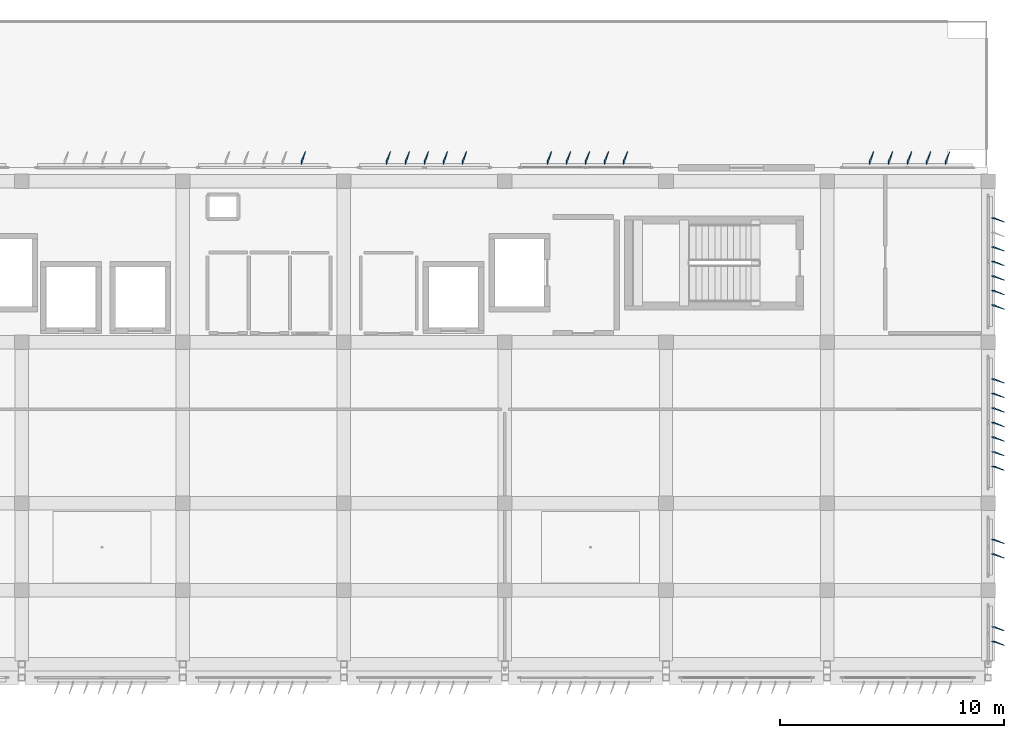
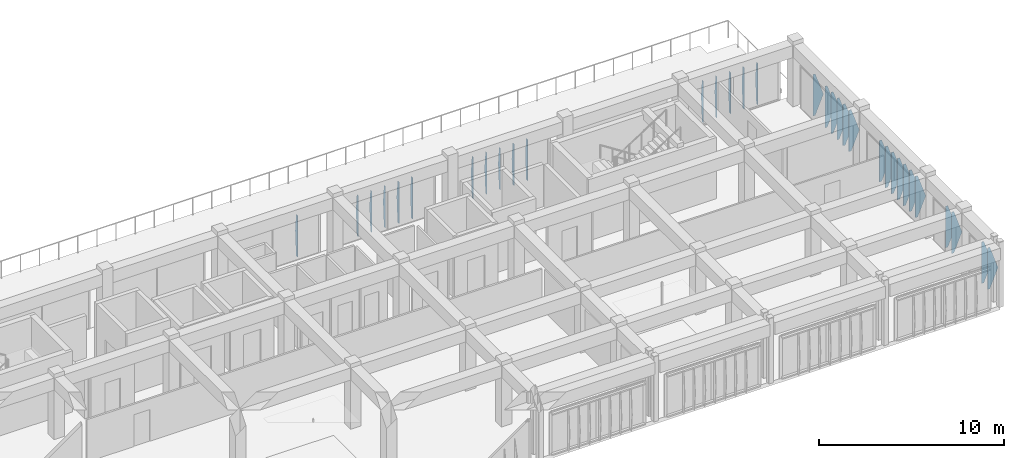
# One storey, part 39 of 42: 33 plates.
"""IFC4 building model written with IfcOpenShell, lengths in metres."""

from ifc_helpers import new_model, si_unit, direction, frame, origin, place, context, subcontext, project, spatial, polygons, material, layer, layer_set, type_object, element, save


model = new_model("IFC4")

# Units and contexts
model_context = context("Model", 3, precision=1e-05, world=origin(), true_north=direction((0.0, 1.0)))
body_context = subcontext(model_context, "Body", "Model", "MODEL_VIEW")
ifc_project = project(units=[si_unit("LENGTHUNIT", "METRE"), si_unit("AREAUNIT", "SQUARE_METRE"), si_unit("VOLUMEUNIT", "CUBIC_METRE"), si_unit("PLANEANGLEUNIT", "RADIAN"), si_unit("MASSUNIT", "GRAM", prefix="KILO")], contexts=[model_context])

# Site, building, storey
site_placement = place(None, origin())
site = spatial("IfcSite", under=ifc_project, at=site_placement, CompositionType="ELEMENT")
building_placement = place(site_placement, origin())
building = spatial("IfcBuilding", under=site, at=building_placement, Name="Kazehaya Institute of Natural Sciences", CompositionType="ELEMENT")
storey_placement = place(building_placement, frame((0.0, 0.0, 37.6201171875)))
storey = spatial("IfcBuildingStorey", under=building, at=storey_placement, Name="L08", CompositionType="ELEMENT", Elevation=37.6201171875)

# Plates
ifc_material = material(Name="Bronze-anodised aluminium alloy A6063S-T5", Category="aluminium")
ifc_layer_1 = layer(ifc_material, 0.02001953125, Name="Bronze-anodised aluminium alloy A6063S-T5", Category="aluminium")
ifc_layer_set_1 = layer_set([ifc_layer_1], Name="Bronze-anodised aluminium alloy A6063S-T5")
plate_type_1 = type_object("IfcPlateType", Name="FIN-DF-E1", PredefinedType="USERDEFINED", material=ifc_layer_set_1)
plate_1_placement = place(storey_placement, origin())
element("IfcPlate", 1, at=plate_1_placement, inside=storey, type_object=plate_type_1, Name="L08 folded diamond-pyramid shading fin FIN-L08-E-0807", ObjectType="SHADING_FIN", PredefinedType="USERDEFINED", context=body_context, shape_type="Tessellation", body=[
    polygons([(119.554931640625, 8.485107421875, 0.039794921875), (119.699951171875, 8.485107421875, 0.039794921875), (120.110107421875, 8.306396484375, 1.409912109375), (119.699951171875, 8.485107421875, 2.77978515625), (119.554931640625, 8.485107421875, 2.77978515625), (119.554931640625, 8.465087890625, 0.039794921875), (119.699951171875, 8.465087890625, 0.039794921875), (120.110107421875, 8.286376953125, 1.409912109375), (119.699951171875, 8.465087890625, 2.77978515625), (119.554931640625, 8.465087890625, 2.77978515625)], [[[1, 5, 4, 3, 2]], [[6, 7, 8, 9, 10]], [[1, 2, 7, 6]], [[2, 3, 8, 7]], [[3, 4, 9, 8]], [[4, 5, 10, 9]], [[5, 1, 6, 10]]], closed=True),
])
plate_2_placement = place(storey_placement, origin())
element("IfcPlate", 2, at=plate_2_placement, inside=storey, type_object=plate_type_1, Name="L08 folded diamond-pyramid shading fin FIN-L08-E-0808", ObjectType="SHADING_FIN", PredefinedType="USERDEFINED", context=body_context, shape_type="Tessellation", body=[
    polygons([(119.554931640625, 7.8349609375, 0.039794921875), (119.699951171875, 7.8349609375, 0.039794921875), (120.110107421875, 7.65625, 1.409912109375), (119.699951171875, 7.8349609375, 2.77978515625), (119.554931640625, 7.8349609375, 2.77978515625), (119.554931640625, 7.81494140625, 0.039794921875), (119.699951171875, 7.81494140625, 0.039794921875), (120.110107421875, 7.63623046875, 1.409912109375), (119.699951171875, 7.81494140625, 2.77978515625), (119.554931640625, 7.81494140625, 2.77978515625)], [[[1, 5, 4, 3, 2]], [[6, 7, 8, 9, 10]], [[1, 2, 7, 6]], [[2, 3, 8, 7]], [[3, 4, 9, 8]], [[4, 5, 10, 9]], [[5, 1, 6, 10]]], closed=True),
])
plate_3_placement = place(storey_placement, origin())
element("IfcPlate", 3, at=plate_3_placement, inside=storey, type_object=plate_type_1, Name="L08 folded diamond-pyramid shading fin FIN-L08-E-0811", ObjectType="SHADING_FIN", PredefinedType="USERDEFINED", context=body_context, shape_type="Tessellation", body=[
    polygons([(119.554931640625, 12.385009765625, 0.039794921875), (119.699951171875, 12.385009765625, 0.039794921875), (120.110107421875, 12.206298828125, 1.409912109375), (119.699951171875, 12.385009765625, 2.77978515625), (119.554931640625, 12.385009765625, 2.77978515625), (119.554931640625, 12.364990234375, 0.039794921875), (119.699951171875, 12.364990234375, 0.039794921875), (120.110107421875, 12.186279296875, 1.409912109375), (119.699951171875, 12.364990234375, 2.77978515625), (119.554931640625, 12.364990234375, 2.77978515625)], [[[1, 5, 4, 3, 2]], [[6, 7, 8, 9, 10]], [[1, 2, 7, 6]], [[2, 3, 8, 7]], [[3, 4, 9, 8]], [[4, 5, 10, 9]], [[5, 1, 6, 10]]], closed=True),
])
plate_4_placement = place(storey_placement, origin())
element("IfcPlate", 4, at=plate_4_placement, inside=storey, type_object=plate_type_1, Name="L08 folded diamond-pyramid shading fin FIN-L08-E-0812", ObjectType="SHADING_FIN", PredefinedType="USERDEFINED", context=body_context, shape_type="Tessellation", body=[
    polygons([(119.554931640625, 11.735107421875, 0.039794921875), (119.699951171875, 11.735107421875, 0.039794921875), (120.110107421875, 11.556396484375, 1.409912109375), (119.699951171875, 11.735107421875, 2.77978515625), (119.554931640625, 11.735107421875, 2.77978515625), (119.554931640625, 11.715087890625, 0.039794921875), (119.699951171875, 11.715087890625, 0.039794921875), (120.110107421875, 11.536376953125, 1.409912109375), (119.699951171875, 11.715087890625, 2.77978515625), (119.554931640625, 11.715087890625, 2.77978515625)], [[[1, 5, 4, 3, 2]], [[6, 7, 8, 9, 10]], [[1, 2, 7, 6]], [[2, 3, 8, 7]], [[3, 4, 9, 8]], [[4, 5, 10, 9]], [[5, 1, 6, 10]]], closed=True),
])
plate_5_placement = place(storey_placement, origin())
element("IfcPlate", 5, at=plate_5_placement, inside=storey, type_object=plate_type_1, Name="L08 folded diamond-pyramid shading fin FIN-L08-E-0820", ObjectType="SHADING_FIN", PredefinedType="USERDEFINED", context=body_context, shape_type="Tessellation", body=[
    polygons([(119.554931640625, 19.56005859375, 0.039794921875), (119.699951171875, 19.56005859375, 0.039794921875), (120.110107421875, 19.38134765625, 1.409912109375), (119.699951171875, 19.56005859375, 2.77978515625), (119.554931640625, 19.56005859375, 2.77978515625), (119.554931640625, 19.5400390625, 0.039794921875), (119.699951171875, 19.5400390625, 0.039794921875), (120.110107421875, 19.361328125, 1.409912109375), (119.699951171875, 19.5400390625, 2.77978515625), (119.554931640625, 19.5400390625, 2.77978515625)], [[[1, 5, 4, 3, 2]], [[6, 7, 8, 9, 10]], [[1, 2, 7, 6]], [[2, 3, 8, 7]], [[3, 4, 9, 8]], [[4, 5, 10, 9]], [[5, 1, 6, 10]]], closed=True),
])
plate_6_placement = place(storey_placement, origin())
element("IfcPlate", 6, at=plate_6_placement, inside=storey, type_object=plate_type_1, Name="L08 folded diamond-pyramid shading fin FIN-L08-E-0821", ObjectType="SHADING_FIN", PredefinedType="USERDEFINED", context=body_context, shape_type="Tessellation", body=[
    polygons([(119.554931640625, 18.909912109375, 0.039794921875), (119.699951171875, 18.909912109375, 0.039794921875), (120.110107421875, 18.731201171875, 1.409912109375), (119.699951171875, 18.909912109375, 2.77978515625), (119.554931640625, 18.909912109375, 2.77978515625), (119.554931640625, 18.889892578125, 0.039794921875), (119.699951171875, 18.889892578125, 0.039794921875), (120.110107421875, 18.711181640625, 1.409912109375), (119.699951171875, 18.889892578125, 2.77978515625), (119.554931640625, 18.889892578125, 2.77978515625)], [[[1, 5, 4, 3, 2]], [[6, 7, 8, 9, 10]], [[1, 2, 7, 6]], [[2, 3, 8, 7]], [[3, 4, 9, 8]], [[4, 5, 10, 9]], [[5, 1, 6, 10]]], closed=True),
])
plate_7_placement = place(storey_placement, origin())
element("IfcPlate", 7, at=plate_7_placement, inside=storey, type_object=plate_type_1, Name="L08 folded diamond-pyramid shading fin FIN-L08-E-0822", ObjectType="SHADING_FIN", PredefinedType="USERDEFINED", context=body_context, shape_type="Tessellation", body=[
    polygons([(119.554931640625, 18.260009765625, 0.039794921875), (119.699951171875, 18.260009765625, 0.039794921875), (120.110107421875, 18.081298828125, 1.409912109375), (119.699951171875, 18.260009765625, 2.77978515625), (119.554931640625, 18.260009765625, 2.77978515625), (119.554931640625, 18.239990234375, 0.039794921875), (119.699951171875, 18.239990234375, 0.039794921875), (120.110107421875, 18.061279296875, 1.409912109375), (119.699951171875, 18.239990234375, 2.77978515625), (119.554931640625, 18.239990234375, 2.77978515625)], [[[1, 5, 4, 3, 2]], [[6, 7, 8, 9, 10]], [[1, 2, 7, 6]], [[2, 3, 8, 7]], [[3, 4, 9, 8]], [[4, 5, 10, 9]], [[5, 1, 6, 10]]], closed=True),
])
plate_8_placement = place(storey_placement, origin())
element("IfcPlate", 8, at=plate_8_placement, inside=storey, type_object=plate_type_1, Name="L08 folded diamond-pyramid shading fin FIN-L08-E-0823", ObjectType="SHADING_FIN", PredefinedType="USERDEFINED", context=body_context, shape_type="Tessellation", body=[
    polygons([(119.554931640625, 17.610107421875, 0.039794921875), (119.699951171875, 17.610107421875, 0.039794921875), (120.110107421875, 17.431396484375, 1.409912109375), (119.699951171875, 17.610107421875, 2.77978515625), (119.554931640625, 17.610107421875, 2.77978515625), (119.554931640625, 17.590087890625, 0.039794921875), (119.699951171875, 17.590087890625, 0.039794921875), (120.110107421875, 17.411376953125, 1.409912109375), (119.699951171875, 17.590087890625, 2.77978515625), (119.554931640625, 17.590087890625, 2.77978515625)], [[[1, 5, 4, 3, 2]], [[6, 7, 8, 9, 10]], [[1, 2, 7, 6]], [[2, 3, 8, 7]], [[3, 4, 9, 8]], [[4, 5, 10, 9]], [[5, 1, 6, 10]]], closed=True),
])
plate_9_placement = place(storey_placement, origin())
element("IfcPlate", 9, at=plate_9_placement, inside=storey, type_object=plate_type_1, Name="L08 folded diamond-pyramid shading fin FIN-L08-E-0824", ObjectType="SHADING_FIN", PredefinedType="USERDEFINED", context=body_context, shape_type="Tessellation", body=[
    polygons([(119.554931640625, 16.9599609375, 0.039794921875), (119.699951171875, 16.9599609375, 0.039794921875), (120.110107421875, 16.78125, 1.409912109375), (119.699951171875, 16.9599609375, 2.77978515625), (119.554931640625, 16.9599609375, 2.77978515625), (119.554931640625, 16.93994140625, 0.039794921875), (119.699951171875, 16.93994140625, 0.039794921875), (120.110107421875, 16.76123046875, 1.409912109375), (119.699951171875, 16.93994140625, 2.77978515625), (119.554931640625, 16.93994140625, 2.77978515625)], [[[1, 5, 4, 3, 2]], [[6, 7, 8, 9, 10]], [[1, 2, 7, 6]], [[2, 3, 8, 7]], [[3, 4, 9, 8]], [[4, 5, 10, 9]], [[5, 1, 6, 10]]], closed=True),
])
plate_10_placement = place(storey_placement, origin())
element("IfcPlate", 10, at=plate_10_placement, inside=storey, type_object=plate_type_1, Name="L08 folded diamond-pyramid shading fin FIN-L08-E-0825", ObjectType="SHADING_FIN", PredefinedType="USERDEFINED", context=body_context, shape_type="Tessellation", body=[
    polygons([(119.554931640625, 16.31005859375, 0.039794921875), (119.699951171875, 16.31005859375, 0.039794921875), (120.110107421875, 16.13134765625, 1.409912109375), (119.699951171875, 16.31005859375, 2.77978515625), (119.554931640625, 16.31005859375, 2.77978515625), (119.554931640625, 16.2900390625, 0.039794921875), (119.699951171875, 16.2900390625, 0.039794921875), (120.110107421875, 16.111328125, 1.409912109375), (119.699951171875, 16.2900390625, 2.77978515625), (119.554931640625, 16.2900390625, 2.77978515625)], [[[1, 5, 4, 3, 2]], [[6, 7, 8, 9, 10]], [[1, 2, 7, 6]], [[2, 3, 8, 7]], [[3, 4, 9, 8]], [[4, 5, 10, 9]], [[5, 1, 6, 10]]], closed=True),
])
plate_11_placement = place(storey_placement, origin())
element("IfcPlate", 11, at=plate_11_placement, inside=storey, type_object=plate_type_1, Name="L08 folded diamond-pyramid shading fin FIN-L08-E-0826", ObjectType="SHADING_FIN", PredefinedType="USERDEFINED", context=body_context, shape_type="Tessellation", body=[
    polygons([(119.554931640625, 15.659912109375, 0.039794921875), (119.699951171875, 15.659912109375, 0.039794921875), (120.110107421875, 15.481201171875, 1.409912109375), (119.699951171875, 15.659912109375, 2.77978515625), (119.554931640625, 15.659912109375, 2.77978515625), (119.554931640625, 15.639892578125, 0.039794921875), (119.699951171875, 15.639892578125, 0.039794921875), (120.110107421875, 15.461181640625, 1.409912109375), (119.699951171875, 15.639892578125, 2.77978515625), (119.554931640625, 15.639892578125, 2.77978515625)], [[[1, 5, 4, 3, 2]], [[6, 7, 8, 9, 10]], [[1, 2, 7, 6]], [[2, 3, 8, 7]], [[3, 4, 9, 8]], [[4, 5, 10, 9]], [[5, 1, 6, 10]]], closed=True),
])
plate_12_placement = place(storey_placement, origin())
element("IfcPlate", 12, at=plate_12_placement, inside=storey, type_object=plate_type_1, Name="L08 folded diamond-pyramid shading fin FIN-L08-E-0834", ObjectType="SHADING_FIN", PredefinedType="USERDEFINED", context=body_context, shape_type="Tessellation", body=[
    polygons([(119.554931640625, 26.760009765625, 0.039794921875), (119.699951171875, 26.760009765625, 0.039794921875), (120.110107421875, 26.581298828125, 1.409912109375), (119.699951171875, 26.760009765625, 2.77978515625), (119.554931640625, 26.760009765625, 2.77978515625), (119.554931640625, 26.739990234375, 0.039794921875), (119.699951171875, 26.739990234375, 0.039794921875), (120.110107421875, 26.561279296875, 1.409912109375), (119.699951171875, 26.739990234375, 2.77978515625), (119.554931640625, 26.739990234375, 2.77978515625)], [[[1, 5, 4, 3, 2]], [[6, 7, 8, 9, 10]], [[1, 2, 7, 6]], [[2, 3, 8, 7]], [[3, 4, 9, 8]], [[4, 5, 10, 9]], [[5, 1, 6, 10]]], closed=True),
])
plate_13_placement = place(storey_placement, origin())
element("IfcPlate", 13, at=plate_13_placement, inside=storey, type_object=plate_type_1, Name="L08 folded diamond-pyramid shading fin FIN-L08-E-0836", ObjectType="SHADING_FIN", PredefinedType="USERDEFINED", context=body_context, shape_type="Tessellation", body=[
    polygons([(119.554931640625, 25.4599609375, 0.039794921875), (119.699951171875, 25.4599609375, 0.039794921875), (120.110107421875, 25.28125, 1.409912109375), (119.699951171875, 25.4599609375, 2.77978515625), (119.554931640625, 25.4599609375, 2.77978515625), (119.554931640625, 25.43994140625, 0.039794921875), (119.699951171875, 25.43994140625, 0.039794921875), (120.110107421875, 25.26123046875, 1.409912109375), (119.699951171875, 25.43994140625, 2.77978515625), (119.554931640625, 25.43994140625, 2.77978515625)], [[[1, 5, 4, 3, 2]], [[6, 7, 8, 9, 10]], [[1, 2, 7, 6]], [[2, 3, 8, 7]], [[3, 4, 9, 8]], [[4, 5, 10, 9]], [[5, 1, 6, 10]]], closed=True),
])
plate_14_placement = place(storey_placement, origin())
element("IfcPlate", 14, at=plate_14_placement, inside=storey, type_object=plate_type_1, Name="L08 folded diamond-pyramid shading fin FIN-L08-E-0837", ObjectType="SHADING_FIN", PredefinedType="USERDEFINED", context=body_context, shape_type="Tessellation", body=[
    polygons([(119.554931640625, 24.81005859375, 0.039794921875), (119.699951171875, 24.81005859375, 0.039794921875), (120.110107421875, 24.63134765625, 1.409912109375), (119.699951171875, 24.81005859375, 2.77978515625), (119.554931640625, 24.81005859375, 2.77978515625), (119.554931640625, 24.7900390625, 0.039794921875), (119.699951171875, 24.7900390625, 0.039794921875), (120.110107421875, 24.611328125, 1.409912109375), (119.699951171875, 24.7900390625, 2.77978515625), (119.554931640625, 24.7900390625, 2.77978515625)], [[[1, 5, 4, 3, 2]], [[6, 7, 8, 9, 10]], [[1, 2, 7, 6]], [[2, 3, 8, 7]], [[3, 4, 9, 8]], [[4, 5, 10, 9]], [[5, 1, 6, 10]]], closed=True),
])
plate_15_placement = place(storey_placement, origin())
element("IfcPlate", 15, at=plate_15_placement, inside=storey, type_object=plate_type_1, Name="L08 folded diamond-pyramid shading fin FIN-L08-E-0838", ObjectType="SHADING_FIN", PredefinedType="USERDEFINED", context=body_context, shape_type="Tessellation", body=[
    polygons([(119.554931640625, 24.159912109375, 0.039794921875), (119.699951171875, 24.159912109375, 0.039794921875), (120.110107421875, 23.981201171875, 1.409912109375), (119.699951171875, 24.159912109375, 2.77978515625), (119.554931640625, 24.159912109375, 2.77978515625), (119.554931640625, 24.139892578125, 0.039794921875), (119.699951171875, 24.139892578125, 0.039794921875), (120.110107421875, 23.961181640625, 1.409912109375), (119.699951171875, 24.139892578125, 2.77978515625), (119.554931640625, 24.139892578125, 2.77978515625)], [[[1, 5, 4, 3, 2]], [[6, 7, 8, 9, 10]], [[1, 2, 7, 6]], [[2, 3, 8, 7]], [[3, 4, 9, 8]], [[4, 5, 10, 9]], [[5, 1, 6, 10]]], closed=True),
])
plate_16_placement = place(storey_placement, origin())
element("IfcPlate", 16, at=plate_16_placement, inside=storey, type_object=plate_type_1, Name="L08 folded diamond-pyramid shading fin FIN-L08-E-0839", ObjectType="SHADING_FIN", PredefinedType="USERDEFINED", context=body_context, shape_type="Tessellation", body=[
    polygons([(119.554931640625, 23.510009765625, 0.039794921875), (119.699951171875, 23.510009765625, 0.039794921875), (120.110107421875, 23.331298828125, 1.409912109375), (119.699951171875, 23.510009765625, 2.77978515625), (119.554931640625, 23.510009765625, 2.77978515625), (119.554931640625, 23.489990234375, 0.039794921875), (119.699951171875, 23.489990234375, 0.039794921875), (120.110107421875, 23.311279296875, 1.409912109375), (119.699951171875, 23.489990234375, 2.77978515625), (119.554931640625, 23.489990234375, 2.77978515625)], [[[1, 5, 4, 3, 2]], [[6, 7, 8, 9, 10]], [[1, 2, 7, 6]], [[2, 3, 8, 7]], [[3, 4, 9, 8]], [[4, 5, 10, 9]], [[5, 1, 6, 10]]], closed=True),
])
plate_17_placement = place(storey_placement, origin())
element("IfcPlate", 17, at=plate_17_placement, inside=storey, type_object=plate_type_1, Name="L08 folded diamond-pyramid shading fin FIN-L08-E-0840", ObjectType="SHADING_FIN", PredefinedType="USERDEFINED", context=body_context, shape_type="Tessellation", body=[
    polygons([(119.554931640625, 22.860107421875, 0.039794921875), (119.699951171875, 22.860107421875, 0.039794921875), (120.110107421875, 22.681396484375, 1.409912109375), (119.699951171875, 22.860107421875, 2.77978515625), (119.554931640625, 22.860107421875, 2.77978515625), (119.554931640625, 22.840087890625, 0.039794921875), (119.699951171875, 22.840087890625, 0.039794921875), (120.110107421875, 22.661376953125, 1.409912109375), (119.699951171875, 22.840087890625, 2.77978515625), (119.554931640625, 22.840087890625, 2.77978515625)], [[[1, 5, 4, 3, 2]], [[6, 7, 8, 9, 10]], [[1, 2, 7, 6]], [[2, 3, 8, 7]], [[3, 4, 9, 8]], [[4, 5, 10, 9]], [[5, 1, 6, 10]]], closed=True),
])
ifc_layer_2 = layer(ifc_material, 0.02001953125, Name="Bronze-anodised aluminium alloy A6063S-T5", Category="aluminium")
ifc_layer_set_2 = layer_set([ifc_layer_2], Name="Bronze-anodised aluminium alloy A6063S-T5")
plate_type_2 = type_object("IfcPlateType", Name="FIN-DF-N1", PredefinedType="USERDEFINED", material=ifc_layer_set_2)
plate_18_placement = place(storey_placement, origin())
element("IfcPlate", 18, at=plate_18_placement, inside=storey, type_object=plate_type_2, Name="L08 folded diamond-pyramid shading fin FIN-L08-N-0789", ObjectType="SHADING_FIN", PredefinedType="USERDEFINED", context=body_context, shape_type="Tessellation", body=[
    polygons([(88.68994140625, 29.155029296875, 0.039794921875), (88.68994140625, 29.300048828125, 0.039794921875), (88.86865234375, 29.7099609375, 1.409912109375), (88.68994140625, 29.300048828125, 2.77978515625), (88.68994140625, 29.155029296875, 2.77978515625), (88.7099609375, 29.155029296875, 0.039794921875), (88.7099609375, 29.300048828125, 0.039794921875), (88.888671875, 29.7099609375, 1.409912109375), (88.7099609375, 29.300048828125, 2.77978515625), (88.7099609375, 29.155029296875, 2.77978515625)], [[[1, 5, 4, 3, 2]], [[6, 7, 8, 9, 10]], [[1, 2, 7, 6]], [[2, 3, 8, 7]], [[3, 4, 9, 8]], [[4, 5, 10, 9]], [[5, 1, 6, 10]]], closed=True),
])
plate_19_placement = place(storey_placement, origin())
element("IfcPlate", 19, at=plate_19_placement, inside=storey, type_object=plate_type_2, Name="L08 folded diamond-pyramid shading fin FIN-L08-N-0790", ObjectType="SHADING_FIN", PredefinedType="USERDEFINED", context=body_context, shape_type="Tessellation", body=[
    polygons([(92.489990234375, 29.155029296875, 0.039794921875), (92.489990234375, 29.300048828125, 0.039794921875), (92.668701171875, 29.7099609375, 1.409912109375), (92.489990234375, 29.300048828125, 2.77978515625), (92.489990234375, 29.155029296875, 2.77978515625), (92.510009765625, 29.155029296875, 0.039794921875), (92.510009765625, 29.300048828125, 0.039794921875), (92.688720703125, 29.7099609375, 1.409912109375), (92.510009765625, 29.300048828125, 2.77978515625), (92.510009765625, 29.155029296875, 2.77978515625)], [[[1, 5, 4, 3, 2]], [[6, 7, 8, 9, 10]], [[1, 2, 7, 6]], [[2, 3, 8, 7]], [[3, 4, 9, 8]], [[4, 5, 10, 9]], [[5, 1, 6, 10]]], closed=True),
])
plate_20_placement = place(storey_placement, origin())
element("IfcPlate", 20, at=plate_20_placement, inside=storey, type_object=plate_type_2, Name="L08 folded diamond-pyramid shading fin FIN-L08-N-0791", ObjectType="SHADING_FIN", PredefinedType="USERDEFINED", context=body_context, shape_type="Tessellation", body=[
    polygons([(93.340087890625, 29.155029296875, 0.039794921875), (93.340087890625, 29.300048828125, 0.039794921875), (93.518798828125, 29.7099609375, 1.409912109375), (93.340087890625, 29.300048828125, 2.77978515625), (93.340087890625, 29.155029296875, 2.77978515625), (93.360107421875, 29.155029296875, 0.039794921875), (93.360107421875, 29.300048828125, 0.039794921875), (93.538818359375, 29.7099609375, 1.409912109375), (93.360107421875, 29.300048828125, 2.77978515625), (93.360107421875, 29.155029296875, 2.77978515625)], [[[1, 5, 4, 3, 2]], [[6, 7, 8, 9, 10]], [[1, 2, 7, 6]], [[2, 3, 8, 7]], [[3, 4, 9, 8]], [[4, 5, 10, 9]], [[5, 1, 6, 10]]], closed=True),
])
plate_21_placement = place(storey_placement, origin())
element("IfcPlate", 21, at=plate_21_placement, inside=storey, type_object=plate_type_2, Name="L08 folded diamond-pyramid shading fin FIN-L08-N-0792", ObjectType="SHADING_FIN", PredefinedType="USERDEFINED", context=body_context, shape_type="Tessellation", body=[
    polygons([(94.18994140625, 29.155029296875, 0.039794921875), (94.18994140625, 29.300048828125, 0.039794921875), (94.36865234375, 29.7099609375, 1.409912109375), (94.18994140625, 29.300048828125, 2.77978515625), (94.18994140625, 29.155029296875, 2.77978515625), (94.2099609375, 29.155029296875, 0.039794921875), (94.2099609375, 29.300048828125, 0.039794921875), (94.388671875, 29.7099609375, 1.409912109375), (94.2099609375, 29.300048828125, 2.77978515625), (94.2099609375, 29.155029296875, 2.77978515625)], [[[1, 5, 4, 3, 2]], [[6, 7, 8, 9, 10]], [[1, 2, 7, 6]], [[2, 3, 8, 7]], [[3, 4, 9, 8]], [[4, 5, 10, 9]], [[5, 1, 6, 10]]], closed=True),
])
plate_22_placement = place(storey_placement, origin())
element("IfcPlate", 22, at=plate_22_placement, inside=storey, type_object=plate_type_2, Name="L08 folded diamond-pyramid shading fin FIN-L08-N-0793", ObjectType="SHADING_FIN", PredefinedType="USERDEFINED", context=body_context, shape_type="Tessellation", body=[
    polygons([(95.0400390625, 29.155029296875, 0.039794921875), (95.0400390625, 29.300048828125, 0.039794921875), (95.21875, 29.7099609375, 1.409912109375), (95.0400390625, 29.300048828125, 2.77978515625), (95.0400390625, 29.155029296875, 2.77978515625), (95.06005859375, 29.155029296875, 0.039794921875), (95.06005859375, 29.300048828125, 0.039794921875), (95.23876953125, 29.7099609375, 1.409912109375), (95.06005859375, 29.300048828125, 2.77978515625), (95.06005859375, 29.155029296875, 2.77978515625)], [[[1, 5, 4, 3, 2]], [[6, 7, 8, 9, 10]], [[1, 2, 7, 6]], [[2, 3, 8, 7]], [[3, 4, 9, 8]], [[4, 5, 10, 9]], [[5, 1, 6, 10]]], closed=True),
])
plate_23_placement = place(storey_placement, origin())
element("IfcPlate", 23, at=plate_23_placement, inside=storey, type_object=plate_type_2, Name="L08 folded diamond-pyramid shading fin FIN-L08-N-0794", ObjectType="SHADING_FIN", PredefinedType="USERDEFINED", context=body_context, shape_type="Tessellation", body=[
    polygons([(95.889892578125, 29.155029296875, 0.039794921875), (95.889892578125, 29.300048828125, 0.039794921875), (96.068603515625, 29.7099609375, 1.409912109375), (95.889892578125, 29.300048828125, 2.77978515625), (95.889892578125, 29.155029296875, 2.77978515625), (95.909912109375, 29.155029296875, 0.039794921875), (95.909912109375, 29.300048828125, 0.039794921875), (96.088623046875, 29.7099609375, 1.409912109375), (95.909912109375, 29.300048828125, 2.77978515625), (95.909912109375, 29.155029296875, 2.77978515625)], [[[1, 5, 4, 3, 2]], [[6, 7, 8, 9, 10]], [[1, 2, 7, 6]], [[2, 3, 8, 7]], [[3, 4, 9, 8]], [[4, 5, 10, 9]], [[5, 1, 6, 10]]], closed=True),
])
plate_24_placement = place(storey_placement, origin())
element("IfcPlate", 24, at=plate_24_placement, inside=storey, type_object=plate_type_2, Name="L08 folded diamond-pyramid shading fin FIN-L08-N-0795", ObjectType="SHADING_FIN", PredefinedType="USERDEFINED", context=body_context, shape_type="Tessellation", body=[
    polygons([(99.68994140625, 29.155029296875, 0.039794921875), (99.68994140625, 29.300048828125, 0.039794921875), (99.86865234375, 29.7099609375, 1.409912109375), (99.68994140625, 29.300048828125, 2.77978515625), (99.68994140625, 29.155029296875, 2.77978515625), (99.7099609375, 29.155029296875, 0.039794921875), (99.7099609375, 29.300048828125, 0.039794921875), (99.888671875, 29.7099609375, 1.409912109375), (99.7099609375, 29.300048828125, 2.77978515625), (99.7099609375, 29.155029296875, 2.77978515625)], [[[1, 5, 4, 3, 2]], [[6, 7, 8, 9, 10]], [[1, 2, 7, 6]], [[2, 3, 8, 7]], [[3, 4, 9, 8]], [[4, 5, 10, 9]], [[5, 1, 6, 10]]], closed=True),
])
plate_25_placement = place(storey_placement, origin())
element("IfcPlate", 25, at=plate_25_placement, inside=storey, type_object=plate_type_2, Name="L08 folded diamond-pyramid shading fin FIN-L08-N-0796", ObjectType="SHADING_FIN", PredefinedType="USERDEFINED", context=body_context, shape_type="Tessellation", body=[
    polygons([(100.5400390625, 29.155029296875, 0.039794921875), (100.5400390625, 29.300048828125, 0.039794921875), (100.71875, 29.7099609375, 1.409912109375), (100.5400390625, 29.300048828125, 2.77978515625), (100.5400390625, 29.155029296875, 2.77978515625), (100.56005859375, 29.155029296875, 0.039794921875), (100.56005859375, 29.300048828125, 0.039794921875), (100.73876953125, 29.7099609375, 1.409912109375), (100.56005859375, 29.300048828125, 2.77978515625), (100.56005859375, 29.155029296875, 2.77978515625)], [[[1, 5, 4, 3, 2]], [[6, 7, 8, 9, 10]], [[1, 2, 7, 6]], [[2, 3, 8, 7]], [[3, 4, 9, 8]], [[4, 5, 10, 9]], [[5, 1, 6, 10]]], closed=True),
])
plate_26_placement = place(storey_placement, origin())
element("IfcPlate", 26, at=plate_26_placement, inside=storey, type_object=plate_type_2, Name="L08 folded diamond-pyramid shading fin FIN-L08-N-0797", ObjectType="SHADING_FIN", PredefinedType="USERDEFINED", context=body_context, shape_type="Tessellation", body=[
    polygons([(101.389892578125, 29.155029296875, 0.039794921875), (101.389892578125, 29.300048828125, 0.039794921875), (101.568603515625, 29.7099609375, 1.409912109375), (101.389892578125, 29.300048828125, 2.77978515625), (101.389892578125, 29.155029296875, 2.77978515625), (101.409912109375, 29.155029296875, 0.039794921875), (101.409912109375, 29.300048828125, 0.039794921875), (101.588623046875, 29.7099609375, 1.409912109375), (101.409912109375, 29.300048828125, 2.77978515625), (101.409912109375, 29.155029296875, 2.77978515625)], [[[1, 5, 4, 3, 2]], [[6, 7, 8, 9, 10]], [[1, 2, 7, 6]], [[2, 3, 8, 7]], [[3, 4, 9, 8]], [[4, 5, 10, 9]], [[5, 1, 6, 10]]], closed=True),
])
plate_27_placement = place(storey_placement, origin())
element("IfcPlate", 27, at=plate_27_placement, inside=storey, type_object=plate_type_2, Name="L08 folded diamond-pyramid shading fin FIN-L08-N-0798", ObjectType="SHADING_FIN", PredefinedType="USERDEFINED", context=body_context, shape_type="Tessellation", body=[
    polygons([(102.239990234375, 29.155029296875, 0.039794921875), (102.239990234375, 29.300048828125, 0.039794921875), (102.418701171875, 29.7099609375, 1.409912109375), (102.239990234375, 29.300048828125, 2.77978515625), (102.239990234375, 29.155029296875, 2.77978515625), (102.260009765625, 29.155029296875, 0.039794921875), (102.260009765625, 29.300048828125, 0.039794921875), (102.438720703125, 29.7099609375, 1.409912109375), (102.260009765625, 29.300048828125, 2.77978515625), (102.260009765625, 29.155029296875, 2.77978515625)], [[[1, 5, 4, 3, 2]], [[6, 7, 8, 9, 10]], [[1, 2, 7, 6]], [[2, 3, 8, 7]], [[3, 4, 9, 8]], [[4, 5, 10, 9]], [[5, 1, 6, 10]]], closed=True),
])
plate_28_placement = place(storey_placement, origin())
element("IfcPlate", 28, at=plate_28_placement, inside=storey, type_object=plate_type_2, Name="L08 folded diamond-pyramid shading fin FIN-L08-N-0799", ObjectType="SHADING_FIN", PredefinedType="USERDEFINED", context=body_context, shape_type="Tessellation", body=[
    polygons([(103.090087890625, 29.155029296875, 0.039794921875), (103.090087890625, 29.300048828125, 0.039794921875), (103.268798828125, 29.7099609375, 1.409912109375), (103.090087890625, 29.300048828125, 2.77978515625), (103.090087890625, 29.155029296875, 2.77978515625), (103.110107421875, 29.155029296875, 0.039794921875), (103.110107421875, 29.300048828125, 0.039794921875), (103.288818359375, 29.7099609375, 1.409912109375), (103.110107421875, 29.300048828125, 2.77978515625), (103.110107421875, 29.155029296875, 2.77978515625)], [[[1, 5, 4, 3, 2]], [[6, 7, 8, 9, 10]], [[1, 2, 7, 6]], [[2, 3, 8, 7]], [[3, 4, 9, 8]], [[4, 5, 10, 9]], [[5, 1, 6, 10]]], closed=True),
])
plate_29_placement = place(storey_placement, origin())
element("IfcPlate", 29, at=plate_29_placement, inside=storey, type_object=plate_type_2, Name="L08 folded diamond-pyramid shading fin FIN-L08-N-0800", ObjectType="SHADING_FIN", PredefinedType="USERDEFINED", context=body_context, shape_type="Tessellation", body=[
    polygons([(114.090087890625, 29.155029296875, 0.039794921875), (114.090087890625, 29.300048828125, 0.039794921875), (114.268798828125, 29.7099609375, 1.409912109375), (114.090087890625, 29.300048828125, 2.77978515625), (114.090087890625, 29.155029296875, 2.77978515625), (114.110107421875, 29.155029296875, 0.039794921875), (114.110107421875, 29.300048828125, 0.039794921875), (114.288818359375, 29.7099609375, 1.409912109375), (114.110107421875, 29.300048828125, 2.77978515625), (114.110107421875, 29.155029296875, 2.77978515625)], [[[1, 5, 4, 3, 2]], [[6, 7, 8, 9, 10]], [[1, 2, 7, 6]], [[2, 3, 8, 7]], [[3, 4, 9, 8]], [[4, 5, 10, 9]], [[5, 1, 6, 10]]], closed=True),
])
plate_30_placement = place(storey_placement, origin())
element("IfcPlate", 30, at=plate_30_placement, inside=storey, type_object=plate_type_2, Name="L08 folded diamond-pyramid shading fin FIN-L08-N-0801", ObjectType="SHADING_FIN", PredefinedType="USERDEFINED", context=body_context, shape_type="Tessellation", body=[
    polygons([(114.93994140625, 29.155029296875, 0.039794921875), (114.93994140625, 29.300048828125, 0.039794921875), (115.11865234375, 29.7099609375, 1.409912109375), (114.93994140625, 29.300048828125, 2.77978515625), (114.93994140625, 29.155029296875, 2.77978515625), (114.9599609375, 29.155029296875, 0.039794921875), (114.9599609375, 29.300048828125, 0.039794921875), (115.138671875, 29.7099609375, 1.409912109375), (114.9599609375, 29.300048828125, 2.77978515625), (114.9599609375, 29.155029296875, 2.77978515625)], [[[1, 5, 4, 3, 2]], [[6, 7, 8, 9, 10]], [[1, 2, 7, 6]], [[2, 3, 8, 7]], [[3, 4, 9, 8]], [[4, 5, 10, 9]], [[5, 1, 6, 10]]], closed=True),
])
plate_31_placement = place(storey_placement, origin())
element("IfcPlate", 31, at=plate_31_placement, inside=storey, type_object=plate_type_2, Name="L08 folded diamond-pyramid shading fin FIN-L08-N-0802", ObjectType="SHADING_FIN", PredefinedType="USERDEFINED", context=body_context, shape_type="Tessellation", body=[
    polygons([(115.7900390625, 29.155029296875, 0.039794921875), (115.7900390625, 29.300048828125, 0.039794921875), (115.96875, 29.7099609375, 1.409912109375), (115.7900390625, 29.300048828125, 2.77978515625), (115.7900390625, 29.155029296875, 2.77978515625), (115.81005859375, 29.155029296875, 0.039794921875), (115.81005859375, 29.300048828125, 0.039794921875), (115.98876953125, 29.7099609375, 1.409912109375), (115.81005859375, 29.300048828125, 2.77978515625), (115.81005859375, 29.155029296875, 2.77978515625)], [[[1, 5, 4, 3, 2]], [[6, 7, 8, 9, 10]], [[1, 2, 7, 6]], [[2, 3, 8, 7]], [[3, 4, 9, 8]], [[4, 5, 10, 9]], [[5, 1, 6, 10]]], closed=True),
])
plate_32_placement = place(storey_placement, origin())
element("IfcPlate", 32, at=plate_32_placement, inside=storey, type_object=plate_type_2, Name="L08 folded diamond-pyramid shading fin FIN-L08-N-0803", ObjectType="SHADING_FIN", PredefinedType="USERDEFINED", context=body_context, shape_type="Tessellation", body=[
    polygons([(116.639892578125, 29.155029296875, 0.039794921875), (116.639892578125, 29.300048828125, 0.039794921875), (116.818603515625, 29.7099609375, 1.409912109375), (116.639892578125, 29.300048828125, 2.77978515625), (116.639892578125, 29.155029296875, 2.77978515625), (116.659912109375, 29.155029296875, 0.039794921875), (116.659912109375, 29.300048828125, 0.039794921875), (116.838623046875, 29.7099609375, 1.409912109375), (116.659912109375, 29.300048828125, 2.77978515625), (116.659912109375, 29.155029296875, 2.77978515625)], [[[1, 5, 4, 3, 2]], [[6, 7, 8, 9, 10]], [[1, 2, 7, 6]], [[2, 3, 8, 7]], [[3, 4, 9, 8]], [[4, 5, 10, 9]], [[5, 1, 6, 10]]], closed=True),
])
plate_33_placement = place(storey_placement, origin())
element("IfcPlate", 33, at=plate_33_placement, inside=storey, type_object=plate_type_2, Name="L08 folded diamond-pyramid shading fin FIN-L08-N-0804", ObjectType="SHADING_FIN", PredefinedType="USERDEFINED", context=body_context, shape_type="Tessellation", body=[
    polygons([(117.489990234375, 29.155029296875, 0.039794921875), (117.489990234375, 29.300048828125, 0.039794921875), (117.668701171875, 29.7099609375, 1.409912109375), (117.489990234375, 29.300048828125, 2.77978515625), (117.489990234375, 29.155029296875, 2.77978515625), (117.510009765625, 29.155029296875, 0.039794921875), (117.510009765625, 29.300048828125, 0.039794921875), (117.688720703125, 29.7099609375, 1.409912109375), (117.510009765625, 29.300048828125, 2.77978515625), (117.510009765625, 29.155029296875, 2.77978515625)], [[[1, 5, 4, 3, 2]], [[6, 7, 8, 9, 10]], [[1, 2, 7, 6]], [[2, 3, 8, 7]], [[3, 4, 9, 8]], [[4, 5, 10, 9]], [[5, 1, 6, 10]]], closed=True),
])

save(model, "model.ifc")
